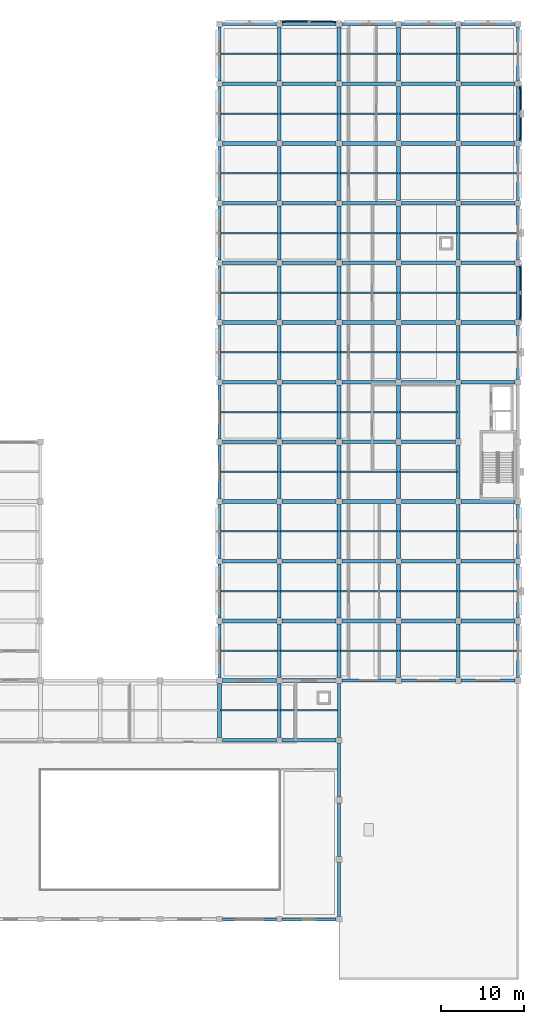
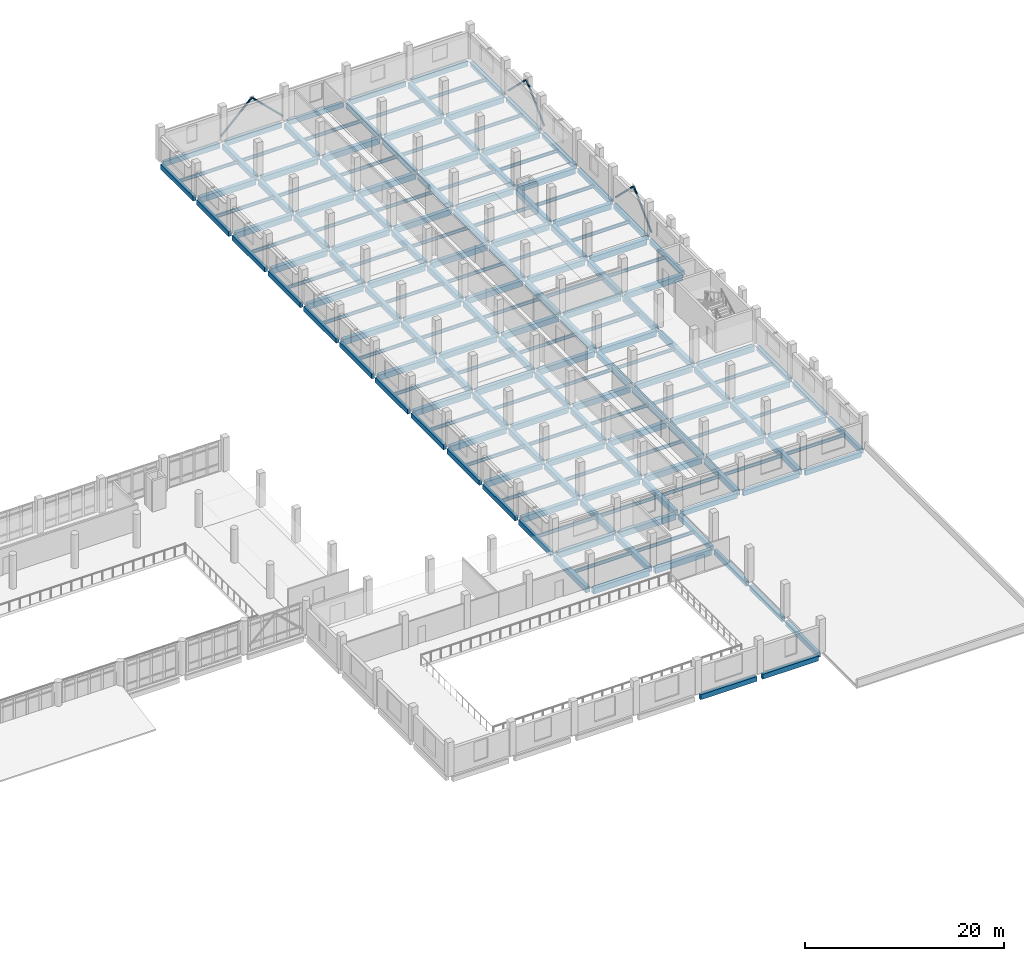
# One storey, part 21 of 57: 188 beams, 6 members.
"""IFC4 building model written with IfcOpenShell, lengths in metres."""

import ifcopenshell
import ifcopenshell.guid

model = None  # the IFC model being written
_history = None  # IfcOwnerHistory: only IFC2X3 demands one
_inside = {}  # id of a spatial element -> (the spatial element, [elements in it])
_under = {}  # id of a project, library or spatial element -> (it, [spatial elements below it])
_declared = {}  # id of a project -> (the project, [libraries it declares])
_typed = {}  # id of a type object -> (the type object, [elements of that type])
_made_of = {}  # id of a material, layer set ... -> (it, [elements and type objects made of it])


def new_model(schema):
    """Start an empty IFC model of exactly this schema.

    Asked for "IFC4X3", IfcOpenShell would pick the latest addendum, in which some entities
    have other attributes; the version numbers below select the first issue.
    IFC2X3 requires an IfcOwnerHistory on every rooted entity: one is made here for all.
    """
    global model, _history
    if schema == "IFC4X3":
        model = ifcopenshell.file(schema_version=(4, 3, 0, 0))
    else:
        model = ifcopenshell.file(schema=schema)
    _inside.clear()
    _under.clear()
    _declared.clear()
    _typed.clear()
    _made_of.clear()
    _history = None
    if model.schema == "IFC2X3":
        org = make("IfcOrganization", Name="unknown")
        user = make(
            "IfcPersonAndOrganization",
            ThePerson=make("IfcPerson", FamilyName="unknown"),
            TheOrganization=org,
        )
        app = make(
            "IfcApplication",
            ApplicationDeveloper=org,
            Version="unknown",
            ApplicationFullName="unknown",
            ApplicationIdentifier="unknown",
        )
        _history = make(
            "IfcOwnerHistory",
            OwningUser=user,
            OwningApplication=app,
            ChangeAction="ADDED",
            CreationDate=0,
        )
    return model


def make(cls, **values):
    """One entity of the class cls with the attributes given. An attribute that is None is left unset."""
    return model.create_entity(
        cls, **{name: value for name, value in values.items() if value is not None}
    )


def rooted(cls, **values):
    """An entity with a GlobalId (a new one), such as an element, a storey or a relation."""
    return make(cls, GlobalId=ifcopenshell.guid.new(), OwnerHistory=_history, **values)


def si_unit(unit_type, name, prefix=None):
    """IfcSIUnit, for example si_unit("LENGTHUNIT", "METRE", prefix="MILLI")."""
    return make("IfcSIUnit", UnitType=unit_type, Prefix=prefix, Name=name)


def assignment(units):
    """IfcUnitAssignment: the units of a project."""
    return None if units is None else make("IfcUnitAssignment", Units=units)


def point(xyz):
    """IfcCartesianPoint."""
    return None if xyz is None else make("IfcCartesianPoint", Coordinates=xyz)


def direction(xyz):
    """IfcDirection."""
    return None if xyz is None else make("IfcDirection", DirectionRatios=xyz)


def frame(location, z_axis=None, x_axis=None):
    """IfcAxis2Placement3D, a coordinate frame: its origin and axes. An axis left out is left unset."""
    return make(
        "IfcAxis2Placement3D",
        Location=point(location),
        Axis=direction(z_axis),
        RefDirection=direction(x_axis),
    )


def frame_2d(location, x_axis=None):
    """IfcAxis2Placement2D, a coordinate frame in the plane: its origin and x axis."""
    return make(
        "IfcAxis2Placement2D", Location=point(location), RefDirection=direction(x_axis)
    )


def origin():
    """The frame at (0, 0, 0) with its axes left unset."""
    return frame((0.0, 0.0, 0.0))


def origin_2d():
    """The frame at (0, 0) in the plane with its x axis left unset."""
    return frame_2d((0.0, 0.0))


def place(relative_to, where):
    """IfcLocalPlacement: puts the frame where relative to a parent placement (None: the world)."""
    return make(
        "IfcLocalPlacement", PlacementRelTo=relative_to, RelativePlacement=where
    )


def context(
    kind, dimensions, precision=None, world=None, true_north=None, identifier=None
):
    """IfcGeometricRepresentationContext, for example the 3D "Model" context."""
    return make(
        "IfcGeometricRepresentationContext",
        ContextIdentifier=identifier,
        ContextType=kind,
        CoordinateSpaceDimension=dimensions,
        Precision=precision,
        WorldCoordinateSystem=world,
        TrueNorth=true_north,
    )


def subcontext(parent, identifier, kind, view, scale=None):
    """IfcGeometricRepresentationSubContext, for example "Body" below "Model"."""
    return make(
        "IfcGeometricRepresentationSubContext",
        ContextIdentifier=identifier,
        ContextType=kind,
        ParentContext=parent,
        TargetScale=scale,
        TargetView=view,
    )


def project(units=None, contexts=None):
    """IfcProject with its units and contexts."""
    return rooted(
        "IfcProject",
        Name="project",
        RepresentationContexts=contexts,
        UnitsInContext=assignment(units),
    )


def spatial(cls, under=None, at=None, **own):
    """A site, building, storey or space (cls), placed at a placement, below another one or the project."""
    s = rooted(cls, ObjectPlacement=at, **own)
    if under is not None:
        _under.setdefault(under.id(), (under, []))[1].append(s)
    return s


def profile(cls, at=None, kind="AREA", **sizes):
    """A parametric profile (cls). Its sizes go by their IFC names, for example OverallWidth=200.0."""
    return make(cls, ProfileType=kind, Position=at, **sizes)


def rectangle(**sizes):
    """IfcRectangleProfileDef."""
    return profile("IfcRectangleProfileDef", **sizes)


def hollow_circle(**sizes):
    """IfcCircleHollowProfileDef."""
    return profile("IfcCircleHollowProfileDef", **sizes)


def i_section(**sizes):
    """IfcIShapeProfileDef."""
    return profile("IfcIShapeProfileDef", **sizes)


def extrude(swept, where, along, depth):
    """IfcExtrudedAreaSolid: the profile swept, set in the frame where, extruded along a direction by depth."""
    return make(
        "IfcExtrudedAreaSolid",
        SweptArea=swept,
        Position=where,
        ExtrudedDirection=direction(along),
        Depth=depth,
    )


def shape(context_of_items, identifier, shape_type, items):
    """IfcShapeRepresentation: the items that make up one representation, for example the "Body"."""
    return make(
        "IfcShapeRepresentation",
        ContextOfItems=context_of_items,
        RepresentationIdentifier=identifier,
        RepresentationType=shape_type,
        Items=items,
    )


def material(Name=None, Category=None):
    """IfcMaterial."""
    return make("IfcMaterial", Name=Name, Category=Category)


def material_profile(
    of_material, cross_section, Name=None, Category=None, Priority=None
):
    """IfcMaterialProfile: a cross section and its material."""
    return make(
        "IfcMaterialProfile",
        Name=Name,
        Material=of_material,
        Profile=cross_section,
        Priority=Priority,
        Category=Category,
    )


def profile_set(profiles, Name=None, composite=None):
    """IfcMaterialProfileSet."""
    return make(
        "IfcMaterialProfileSet",
        Name=Name,
        MaterialProfiles=profiles,
        CompositeProfile=composite,
    )


def made_of(thing, what):
    """Note that an element or type object is made of a material, layer set ...; save() writes the relation."""
    if what is not None:
        _made_of.setdefault(what.id(), (what, []))[1].append(thing)
    return thing


def type_object(cls, material=None, **own):
    """A type object (cls), such as IfcWallType, which elements share."""
    return made_of(rooted(cls, **own), material)


def element(
    cls,
    number,
    at=None,
    inside=None,
    cuts=None,
    type_object=None,
    material=None,
    context=None,
    identifier="Body",
    shape_type=None,
    held_by="IfcProductDefinitionShape",
    body=None,
    shapes=None,
    **own,
):
    """One element of the class cls, such as IfcWall. Its Tag is "e" and its number.

    at: its placement. inside: the storey or other place that contains it. cuts: it is an
    opening in that element (IfcRelVoidsElement). A single representation is given by context,
    identifier, shape_type and body (its items); several are given by shapes. held_by: the class
    of the entity that holds the representations. save() writes the other relations.
    """
    e = rooted(cls, Tag="e%d" % number, ObjectPlacement=at, **own)
    if body is not None:
        shapes = [shape(context, identifier, shape_type, body)]
    if shapes is not None:
        e.Representation = make(held_by, Representations=shapes)
    if inside is not None:
        _inside.setdefault(inside.id(), (inside, []))[1].append(e)
    if cuts is not None:
        rooted(
            "IfcRelVoidsElement", RelatingBuildingElement=cuts, RelatedOpeningElement=e
        )
    if type_object is not None:
        _typed.setdefault(type_object.id(), (type_object, []))[1].append(e)
    return made_of(e, material)


def aggregate(whole, parts):
    """IfcRelAggregates: a whole, such as a stair, and the parts it consists of."""
    return rooted("IfcRelAggregates", RelatingObject=whole, RelatedObjects=parts)


def save(model, path):
    """Write the relations noted so far, then the file.

    IfcRelAggregates (storeys below a building ...), IfcRelContainedInSpatialStructure (elements
    in a storey), IfcRelDefinesByType, IfcRelAssociatesMaterial and IfcRelDeclares: one each for
    every whole, place, type object, material and project.
    """
    for whole, parts in _under.values():
        aggregate(whole, parts)
    for where, things in _inside.values():
        rooted(
            "IfcRelContainedInSpatialStructure",
            RelatedElements=things,
            RelatingStructure=where,
        )
    for kind, things in _typed.values():
        rooted("IfcRelDefinesByType", RelatedObjects=things, RelatingType=kind)
    for what, things in _made_of.values():
        rooted("IfcRelAssociatesMaterial", RelatedObjects=things, RelatingMaterial=what)
    for by, libraries in _declared.values():
        rooted("IfcRelDeclares", RelatingContext=by, RelatedDefinitions=libraries)
    model.write(path)


model = new_model("IFC4")

# Units and contexts
model_context = context("Model", 3, precision=1e-05, world=origin(), true_north=direction((0.0, 1.0)))
body_context = subcontext(model_context, "Body", "Model", "MODEL_VIEW")
ifc_project = project(units=[si_unit("LENGTHUNIT", "METRE"), si_unit("AREAUNIT", "SQUARE_METRE"), si_unit("VOLUMEUNIT", "CUBIC_METRE"), si_unit("PLANEANGLEUNIT", "RADIAN"), si_unit("MASSUNIT", "GRAM", prefix="KILO")], contexts=[model_context])

# Site, building, storey
site_placement = place(None, origin())
site = spatial("IfcSite", under=ifc_project, at=site_placement, CompositionType="ELEMENT")
building_placement = place(site_placement, origin())
building = spatial("IfcBuilding", under=site, at=building_placement, Name="Valkovuoma Quantum and Materials Research Institute", CompositionType="ELEMENT")
storey_placement = place(building_placement, frame((0.0, 0.0, 4.800048828125)))
storey = spatial("IfcBuildingStorey", under=building, at=storey_placement, Name="L01", CompositionType="ELEMENT", Elevation=4.800048828125)

# Beams
ifc_material_1 = material(Name="Steel S355J2", Category="steel")
ifc_material_profile_1 = material_profile(ifc_material_1, i_section(OverallWidth=0.179931640625, OverallDepth=0.39990234375, WebThickness=0.008544921875, FlangeThickness=0.013427734375, FilletRadius=0.02099609375, at=origin_2d()), Name="Steel S355J2")
ifc_profile_set_1 = profile_set([ifc_material_profile_1], Name="Steel S355J2")
beam_type_1 = type_object("IfcBeamType", Name="Beam-B-JST400", PredefinedType="JOIST", material=ifc_profile_set_1)
for number, where, z_axis, x_axis, name in (
    (1, (129.719970703125, 32.39990234375, -0.550048828125), (1.0, 0.0, 0.0), (0.0, 1.0, 0.0), "L01 floor joist 0869"),
    (2, (136.919921875, 32.39990234375, -0.550048828125), (1.0, 0.0, 0.0), (0.0, 1.0, 0.0), "L01 floor joist 0870"),
    (3, (129.719970703125, 39.60009765625, -0.550048828125), (1.0, 0.0, 0.0), (0.0, 1.0, 0.0), "L01 floor joist 0877"),
    (4, (136.919921875, 39.60009765625, -0.550048828125), (1.0, 0.0, 0.0), (0.0, 1.0, 0.0), "L01 floor joist 0878"),
    (5, (144.1201171875, 39.60009765625, -0.550048828125), (1.0, 0.0, 0.0), (0.0, 1.0, 0.0), "L01 floor joist 0879"),
    (6, (151.320068359375, 39.60009765625, -0.550048828125), (1.0, 0.0, 0.0), (0.0, 1.0, 0.0), "L01 floor joist 0880"),
    (7, (158.52001953125, 39.60009765625, -0.550048828125), (1.0, 0.0, 0.0), (0.0, 1.0, 0.0), "L01 floor joist 0881"),
    (8, (129.719970703125, 46.800048828125, -0.550048828125), (1.0, 0.0, 0.0), (0.0, 1.0, 0.0), "L01 floor joist 0888"),
    (9, (136.919921875, 46.800048828125, -0.550048828125), (1.0, 0.0, 0.0), (0.0, 1.0, 0.0), "L01 floor joist 0889"),
    (10, (144.1201171875, 46.800048828125, -0.550048828125), (1.0, 0.0, 0.0), (0.0, 1.0, 0.0), "L01 floor joist 0890"),
    (11, (151.320068359375, 46.800048828125, -0.550048828125), (1.0, 0.0, 0.0), (0.0, 1.0, 0.0), "L01 floor joist 0891"),
    (12, (158.52001953125, 46.800048828125, -0.550048828125), (1.0, 0.0, 0.0), (0.0, 1.0, 0.0), "L01 floor joist 0892"),
    (13, (129.719970703125, 54.0, -0.550048828125), (1.0, 0.0, 0.0), (0.0, 1.0, 0.0), "L01 floor joist 0899"),
    (14, (136.919921875, 54.0, -0.550048828125), (1.0, 0.0, 0.0), (0.0, 1.0, 0.0), "L01 floor joist 0900"),
    (15, (144.1201171875, 54.0, -0.550048828125), (1.0, 0.0, 0.0), (0.0, 1.0, 0.0), "L01 floor joist 0901"),
    (16, (151.320068359375, 54.0, -0.550048828125), (1.0, 0.0, 0.0), (0.0, 1.0, 0.0), "L01 floor joist 0902"),
    (17, (158.52001953125, 54.0, -0.550048828125), (1.0, 0.0, 0.0), (0.0, 1.0, 0.0), "L01 floor joist 0903"),
    (18, (129.719970703125, 61.199951171875, -0.550048828125), (1.0, 0.0, 0.0), (0.0, 1.0, 0.0), "L01 floor joist 0919"),
    (19, (136.919921875, 61.199951171875, -0.550048828125), (1.0, 0.0, 0.0), (0.0, 1.0, 0.0), "L01 floor joist 0920"),
    (20, (144.1201171875, 61.199951171875, -0.550048828125), (1.0, 0.0, 0.0), (0.0, 1.0, 0.0), "L01 floor joist 0921"),
    (21, (151.320068359375, 61.199951171875, -0.550048828125), (1.0, 0.0, 0.0), (0.0, 1.0, 0.0), "L01 floor joist 0922"),
    (22, (129.719970703125, 68.39990234375, -0.550048828125), (1.0, 0.0, 0.0), (0.0, 1.0, 0.0), "L01 floor joist 0928"),
    (23, (136.919921875, 68.39990234375, -0.550048828125), (1.0, 0.0, 0.0), (0.0, 1.0, 0.0), "L01 floor joist 0929"),
    (24, (144.1201171875, 68.39990234375, -0.550048828125), (1.0, 0.0, 0.0), (0.0, 1.0, 0.0), "L01 floor joist 0930"),
    (25, (151.320068359375, 68.39990234375, -0.550048828125), (1.0, 0.0, 0.0), (0.0, 1.0, 0.0), "L01 floor joist 0931"),
    (26, (129.719970703125, 75.60009765625, -0.550048828125), (1.0, 0.0, 0.0), (0.0, 1.0, 0.0), "L01 floor joist 0935"),
    (27, (136.919921875, 75.60009765625, -0.550048828125), (1.0, 0.0, 0.0), (0.0, 1.0, 0.0), "L01 floor joist 0936"),
    (28, (144.1201171875, 75.60009765625, -0.550048828125), (1.0, 0.0, 0.0), (0.0, 1.0, 0.0), "L01 floor joist 0937"),
    (29, (151.320068359375, 75.60009765625, -0.550048828125), (1.0, 0.0, 0.0), (0.0, 1.0, 0.0), "L01 floor joist 0938"),
    (30, (158.52001953125, 75.60009765625, -0.550048828125), (1.0, 0.0, 0.0), (0.0, 1.0, 0.0), "L01 floor joist 0939"),
    (31, (129.719970703125, 82.800048828125, -0.550048828125), (1.0, 0.0, 0.0), (0.0, 1.0, 0.0), "L01 floor joist 0945"),
    (32, (136.919921875, 82.800048828125, -0.550048828125), (1.0, 0.0, 0.0), (0.0, 1.0, 0.0), "L01 floor joist 0946"),
    (33, (144.1201171875, 82.800048828125, -0.550048828125), (1.0, 0.0, 0.0), (0.0, 1.0, 0.0), "L01 floor joist 0947"),
    (34, (151.320068359375, 82.800048828125, -0.550048828125), (1.0, 0.0, 0.0), (0.0, 1.0, 0.0), "L01 floor joist 0948"),
    (35, (158.52001953125, 82.800048828125, -0.550048828125), (1.0, 0.0, 0.0), (0.0, 1.0, 0.0), "L01 floor joist 0949"),
    (36, (129.719970703125, 90.0, -0.550048828125), (1.0, 0.0, 0.0), (0.0, 1.0, 0.0), "L01 floor joist 0957"),
    (37, (136.919921875, 90.0, -0.550048828125), (1.0, 0.0, 0.0), (0.0, 1.0, 0.0), "L01 floor joist 0958"),
    (38, (144.1201171875, 90.0, -0.550048828125), (1.0, 0.0, 0.0), (0.0, 1.0, 0.0), "L01 floor joist 0959"),
    (39, (151.320068359375, 90.0, -0.550048828125), (1.0, 0.0, 0.0), (0.0, 1.0, 0.0), "L01 floor joist 0960"),
    (40, (158.52001953125, 90.0, -0.550048828125), (1.0, 0.0, 0.0), (0.0, 1.0, 0.0), "L01 floor joist 0961"),
    (41, (129.719970703125, 97.199951171875, -0.550048828125), (1.0, 0.0, 0.0), (0.0, 1.0, 0.0), "L01 floor joist 0967"),
    (42, (136.919921875, 97.199951171875, -0.550048828125), (1.0, 0.0, 0.0), (0.0, 1.0, 0.0), "L01 floor joist 0968"),
    (43, (144.1201171875, 97.199951171875, -0.550048828125), (1.0, 0.0, 0.0), (0.0, 1.0, 0.0), "L01 floor joist 0969"),
    (44, (151.320068359375, 97.199951171875, -0.550048828125), (1.0, 0.0, 0.0), (0.0, 1.0, 0.0), "L01 floor joist 0970"),
    (45, (158.52001953125, 97.199951171875, -0.550048828125), (1.0, 0.0, 0.0), (0.0, 1.0, 0.0), "L01 floor joist 0971"),
    (46, (129.719970703125, 104.39990234375, -0.550048828125), (1.0, 0.0, 0.0), (0.0, 1.0, 0.0), "L01 floor joist 0977"),
    (47, (136.919921875, 104.39990234375, -0.550048828125), (1.0, 0.0, 0.0), (0.0, 1.0, 0.0), "L01 floor joist 0978"),
    (48, (144.1201171875, 104.39990234375, -0.550048828125), (1.0, 0.0, 0.0), (0.0, 1.0, 0.0), "L01 floor joist 0979"),
    (49, (151.320068359375, 104.39990234375, -0.550048828125), (1.0, 0.0, 0.0), (0.0, 1.0, 0.0), "L01 floor joist 0980"),
    (50, (158.52001953125, 104.39990234375, -0.550048828125), (1.0, 0.0, 0.0), (0.0, 1.0, 0.0), "L01 floor joist 0981"),
    (51, (129.719970703125, 111.60009765625, -0.550048828125), (1.0, 0.0, 0.0), (0.0, 1.0, 0.0), "L01 floor joist 0982"),
    (52, (136.919921875, 111.60009765625, -0.550048828125), (1.0, 0.0, 0.0), (0.0, 1.0, 0.0), "L01 floor joist 0983"),
    (53, (144.1201171875, 111.60009765625, -0.550048828125), (1.0, 0.0, 0.0), (0.0, 1.0, 0.0), "L01 floor joist 0984"),
    (54, (151.320068359375, 111.60009765625, -0.550048828125), (1.0, 0.0, 0.0), (0.0, 1.0, 0.0), "L01 floor joist 0985"),
    (55, (158.52001953125, 111.60009765625, -0.550048828125), (1.0, 0.0, 0.0), (0.0, 1.0, 0.0), "L01 floor joist 0986"),
):
    element("IfcBeam", number, at=place(storey_placement, frame(where, z_axis=z_axis, x_axis=x_axis)), inside=storey, type_object=beam_type_1, Name=name, PredefinedType="JOIST", context=body_context, shape_type="SweptSolid", body=[
        extrude(i_section(OverallWidth=0.179931640625, OverallDepth=0.39990234375, WebThickness=0.008544921875, FlangeThickness=0.013427734375, FilletRadius=0.02099609375, at=origin_2d()), origin(), (0.0, 0.0, 1.0), 6.9599609375),
    ])
ifc_material_2 = material(Name="Concrete C40/50", Category="concrete")
ifc_material_profile_2 = material_profile(ifc_material_2, rectangle(XDim=0.449951171875, YDim=0.699951171875, at=origin_2d()), Name="Concrete C40/50")
ifc_profile_set_2 = profile_set([ifc_material_profile_2], Name="Concrete C40/50")
beam_type_2 = type_object("IfcBeamType", Name="Beam-B-RC700", PredefinedType="BEAM", material=ifc_profile_set_2)
for number, where, z_axis, x_axis, name in (
    (56, (129.949951171875, 28.800048828125, -0.699951171875), (1.0, 0.0, 0.0), (0.0, 1.0, 0.0), "L01 beam X-0562"),
    (57, (137.14990234375, 28.800048828125, -0.699951171875), (1.0, 0.0, 0.0), (0.0, 1.0, 0.0), "L01 beam X-0563"),
    (58, (129.949951171875, 36.0, -0.699951171875), (1.0, 0.0, 0.0), (0.0, 1.0, 0.0), "L01 beam X-0580"),
    (59, (137.14990234375, 36.0, -0.699951171875), (1.0, 0.0, 0.0), (0.0, 1.0, 0.0), "L01 beam X-0581"),
    (60, (129.949951171875, 43.199951171875, -0.699951171875), (1.0, 0.0, 0.0), (0.0, 1.0, 0.0), "L01 beam X-0592"),
    (61, (137.14990234375, 43.199951171875, -0.699951171875), (1.0, 0.0, 0.0), (0.0, 1.0, 0.0), "L01 beam X-0593"),
    (62, (144.35009765625, 43.199951171875, -0.699951171875), (1.0, 0.0, 0.0), (0.0, 1.0, 0.0), "L01 beam X-0594"),
    (63, (151.550048828125, 43.199951171875, -0.699951171875), (1.0, 0.0, 0.0), (0.0, 1.0, 0.0), "L01 beam X-0595"),
    (64, (158.75, 43.199951171875, -0.699951171875), (1.0, 0.0, 0.0), (0.0, 1.0, 0.0), "L01 beam X-0596"),
    (65, (129.949951171875, 50.39990234375, -0.699951171875), (1.0, 0.0, 0.0), (0.0, 1.0, 0.0), "L01 beam X-0603"),
    (66, (137.14990234375, 50.39990234375, -0.699951171875), (1.0, 0.0, 0.0), (0.0, 1.0, 0.0), "L01 beam X-0604"),
    (67, (144.35009765625, 50.39990234375, -0.699951171875), (1.0, 0.0, 0.0), (0.0, 1.0, 0.0), "L01 beam X-0605"),
    (68, (151.550048828125, 50.39990234375, -0.699951171875), (1.0, 0.0, 0.0), (0.0, 1.0, 0.0), "L01 beam X-0606"),
    (69, (158.75, 50.39990234375, -0.699951171875), (1.0, 0.0, 0.0), (0.0, 1.0, 0.0), "L01 beam X-0607"),
    (70, (129.949951171875, 57.60009765625, -0.699951171875), (1.0, 0.0, 0.0), (0.0, 1.0, 0.0), "L01 beam X-0623"),
    (71, (137.14990234375, 57.60009765625, -0.699951171875), (1.0, 0.0, 0.0), (0.0, 1.0, 0.0), "L01 beam X-0624"),
    (72, (144.35009765625, 57.60009765625, -0.699951171875), (1.0, 0.0, 0.0), (0.0, 1.0, 0.0), "L01 beam X-0625"),
    (73, (151.550048828125, 57.60009765625, -0.699951171875), (1.0, 0.0, 0.0), (0.0, 1.0, 0.0), "L01 beam X-0626"),
    (74, (158.75, 57.60009765625, -0.699951171875), (1.0, 0.0, 0.0), (0.0, 1.0, 0.0), "L01 beam X-0627"),
    (75, (129.949951171875, 64.800048828125, -0.699951171875), (1.0, 0.0, 0.0), (0.0, 1.0, 0.0), "L01 beam X-0643"),
    (76, (137.14990234375, 64.800048828125, -0.699951171875), (1.0, 0.0, 0.0), (0.0, 1.0, 0.0), "L01 beam X-0644"),
    (77, (144.35009765625, 64.800048828125, -0.699951171875), (1.0, 0.0, 0.0), (0.0, 1.0, 0.0), "L01 beam X-0645"),
    (78, (151.550048828125, 64.800048828125, -0.699951171875), (1.0, 0.0, 0.0), (0.0, 1.0, 0.0), "L01 beam X-0646"),
    (79, (129.949951171875, 72.0, -0.699951171875), (1.0, 0.0, 0.0), (0.0, 1.0, 0.0), "L01 beam X-0652"),
    (80, (137.14990234375, 72.0, -0.699951171875), (1.0, 0.0, 0.0), (0.0, 1.0, 0.0), "L01 beam X-0653"),
    (81, (144.35009765625, 72.0, -0.699951171875), (1.0, 0.0, 0.0), (0.0, 1.0, 0.0), "L01 beam X-0654"),
    (82, (151.550048828125, 72.0, -0.699951171875), (1.0, 0.0, 0.0), (0.0, 1.0, 0.0), "L01 beam X-0655"),
    (83, (158.75, 72.0, -0.699951171875), (1.0, 0.0, 0.0), (0.0, 1.0, 0.0), "L01 beam X-0656"),
    (84, (129.949951171875, 79.199951171875, -0.699951171875), (1.0, 0.0, 0.0), (0.0, 1.0, 0.0), "L01 beam X-0662"),
    (85, (137.14990234375, 79.199951171875, -0.699951171875), (1.0, 0.0, 0.0), (0.0, 1.0, 0.0), "L01 beam X-0663"),
    (86, (144.35009765625, 79.199951171875, -0.699951171875), (1.0, 0.0, 0.0), (0.0, 1.0, 0.0), "L01 beam X-0664"),
    (87, (151.550048828125, 79.199951171875, -0.699951171875), (1.0, 0.0, 0.0), (0.0, 1.0, 0.0), "L01 beam X-0665"),
    (88, (158.75, 79.199951171875, -0.699951171875), (1.0, 0.0, 0.0), (0.0, 1.0, 0.0), "L01 beam X-0666"),
    (89, (129.949951171875, 86.39990234375, -0.699951171875), (1.0, 0.0, 0.0), (0.0, 1.0, 0.0), "L01 beam X-0674"),
    (90, (137.14990234375, 86.39990234375, -0.699951171875), (1.0, 0.0, 0.0), (0.0, 1.0, 0.0), "L01 beam X-0675"),
    (91, (144.35009765625, 86.39990234375, -0.699951171875), (1.0, 0.0, 0.0), (0.0, 1.0, 0.0), "L01 beam X-0676"),
    (92, (151.550048828125, 86.39990234375, -0.699951171875), (1.0, 0.0, 0.0), (0.0, 1.0, 0.0), "L01 beam X-0677"),
    (93, (158.75, 86.39990234375, -0.699951171875), (1.0, 0.0, 0.0), (0.0, 1.0, 0.0), "L01 beam X-0678"),
    (94, (129.949951171875, 93.60009765625, -0.699951171875), (1.0, 0.0, 0.0), (0.0, 1.0, 0.0), "L01 beam X-0686"),
    (95, (137.14990234375, 93.60009765625, -0.699951171875), (1.0, 0.0, 0.0), (0.0, 1.0, 0.0), "L01 beam X-0687"),
    (96, (144.35009765625, 93.60009765625, -0.699951171875), (1.0, 0.0, 0.0), (0.0, 1.0, 0.0), "L01 beam X-0688"),
    (97, (151.550048828125, 93.60009765625, -0.699951171875), (1.0, 0.0, 0.0), (0.0, 1.0, 0.0), "L01 beam X-0689"),
    (98, (158.75, 93.60009765625, -0.699951171875), (1.0, 0.0, 0.0), (0.0, 1.0, 0.0), "L01 beam X-0690"),
    (99, (129.949951171875, 100.800048828125, -0.699951171875), (1.0, 0.0, 0.0), (0.0, 1.0, 0.0), "L01 beam X-0696"),
    (100, (137.14990234375, 100.800048828125, -0.699951171875), (1.0, 0.0, 0.0), (0.0, 1.0, 0.0), "L01 beam X-0697"),
    (101, (144.35009765625, 100.800048828125, -0.699951171875), (1.0, 0.0, 0.0), (0.0, 1.0, 0.0), "L01 beam X-0698"),
    (102, (151.550048828125, 100.800048828125, -0.699951171875), (1.0, 0.0, 0.0), (0.0, 1.0, 0.0), "L01 beam X-0699"),
    (103, (158.75, 100.800048828125, -0.699951171875), (1.0, 0.0, 0.0), (0.0, 1.0, 0.0), "L01 beam X-0700"),
    (104, (129.949951171875, 108.0, -0.699951171875), (1.0, 0.0, 0.0), (0.0, 1.0, 0.0), "L01 beam X-0706"),
    (105, (137.14990234375, 108.0, -0.699951171875), (1.0, 0.0, 0.0), (0.0, 1.0, 0.0), "L01 beam X-0707"),
    (106, (144.35009765625, 108.0, -0.699951171875), (1.0, 0.0, 0.0), (0.0, 1.0, 0.0), "L01 beam X-0708"),
    (107, (151.550048828125, 108.0, -0.699951171875), (1.0, 0.0, 0.0), (0.0, 1.0, 0.0), "L01 beam X-0709"),
    (108, (158.75, 108.0, -0.699951171875), (1.0, 0.0, 0.0), (0.0, 1.0, 0.0), "L01 beam X-0710"),
    (109, (129.60009765625, 29.14990234375, -0.699951171875), (0.0, 1.0, 0.0), (-1.0, 0.0, 0.0), "L01 beam Y-0795"),
    (110, (136.800048828125, 29.14990234375, -0.699951171875), (0.0, 1.0, 0.0), (-1.0, 0.0, 0.0), "L01 beam Y-0807"),
    (111, (136.800048828125, 36.35009765625, -0.699951171875), (0.0, 1.0, 0.0), (-1.0, 0.0, 0.0), "L01 beam Y-0808"),
    (112, (136.800048828125, 43.550048828125, -0.699951171875), (0.0, 1.0, 0.0), (-1.0, 0.0, 0.0), "L01 beam Y-0809"),
    (113, (136.800048828125, 50.75, -0.699951171875), (0.0, 1.0, 0.0), (-1.0, 0.0, 0.0), "L01 beam Y-0810"),
    (114, (136.800048828125, 57.949951171875, -0.699951171875), (0.0, 1.0, 0.0), (-1.0, 0.0, 0.0), "L01 beam Y-0811"),
    (115, (136.800048828125, 65.14990234375, -0.699951171875), (0.0, 1.0, 0.0), (-1.0, 0.0, 0.0), "L01 beam Y-0812"),
    (116, (136.800048828125, 72.35009765625, -0.699951171875), (0.0, 1.0, 0.0), (-1.0, 0.0, 0.0), "L01 beam Y-0813"),
    (117, (136.800048828125, 79.550048828125, -0.699951171875), (0.0, 1.0, 0.0), (-1.0, 0.0, 0.0), "L01 beam Y-0814"),
    (118, (136.800048828125, 86.75, -0.699951171875), (0.0, 1.0, 0.0), (-1.0, 0.0, 0.0), "L01 beam Y-0815"),
    (119, (136.800048828125, 93.949951171875, -0.699951171875), (0.0, 1.0, 0.0), (-1.0, 0.0, 0.0), "L01 beam Y-0816"),
    (120, (136.800048828125, 101.14990234375, -0.699951171875), (0.0, 1.0, 0.0), (-1.0, 0.0, 0.0), "L01 beam Y-0817"),
    (121, (136.800048828125, 108.35009765625, -0.699951171875), (0.0, 1.0, 0.0), (-1.0, 0.0, 0.0), "L01 beam Y-0818"),
    (122, (144.0, 36.35009765625, -0.699951171875), (0.0, 1.0, 0.0), (-1.0, 0.0, 0.0), "L01 beam Y-0823"),
    (123, (144.0, 43.550048828125, -0.699951171875), (0.0, 1.0, 0.0), (-1.0, 0.0, 0.0), "L01 beam Y-0824"),
    (124, (144.0, 50.75, -0.699951171875), (0.0, 1.0, 0.0), (-1.0, 0.0, 0.0), "L01 beam Y-0825"),
    (125, (144.0, 57.949951171875, -0.699951171875), (0.0, 1.0, 0.0), (-1.0, 0.0, 0.0), "L01 beam Y-0826"),
    (126, (144.0, 65.14990234375, -0.699951171875), (0.0, 1.0, 0.0), (-1.0, 0.0, 0.0), "L01 beam Y-0827"),
    (127, (144.0, 72.35009765625, -0.699951171875), (0.0, 1.0, 0.0), (-1.0, 0.0, 0.0), "L01 beam Y-0828"),
    (128, (144.0, 79.550048828125, -0.699951171875), (0.0, 1.0, 0.0), (-1.0, 0.0, 0.0), "L01 beam Y-0829"),
    (129, (144.0, 86.75, -0.699951171875), (0.0, 1.0, 0.0), (-1.0, 0.0, 0.0), "L01 beam Y-0830"),
    (130, (144.0, 93.949951171875, -0.699951171875), (0.0, 1.0, 0.0), (-1.0, 0.0, 0.0), "L01 beam Y-0831"),
    (131, (144.0, 101.14990234375, -0.699951171875), (0.0, 1.0, 0.0), (-1.0, 0.0, 0.0), "L01 beam Y-0832"),
    (132, (144.0, 108.35009765625, -0.699951171875), (0.0, 1.0, 0.0), (-1.0, 0.0, 0.0), "L01 beam Y-0833"),
    (133, (151.199951171875, 36.35009765625, -0.699951171875), (0.0, 1.0, 0.0), (-1.0, 0.0, 0.0), "L01 beam Y-0834"),
    (134, (151.199951171875, 43.550048828125, -0.699951171875), (0.0, 1.0, 0.0), (-1.0, 0.0, 0.0), "L01 beam Y-0835"),
    (135, (151.199951171875, 50.75, -0.699951171875), (0.0, 1.0, 0.0), (-1.0, 0.0, 0.0), "L01 beam Y-0836"),
    (136, (151.199951171875, 57.949951171875, -0.699951171875), (0.0, 1.0, 0.0), (-1.0, 0.0, 0.0), "L01 beam Y-0837"),
    (137, (151.199951171875, 65.14990234375, -0.699951171875), (0.0, 1.0, 0.0), (-1.0, 0.0, 0.0), "L01 beam Y-0838"),
    (138, (151.199951171875, 72.35009765625, -0.699951171875), (0.0, 1.0, 0.0), (-1.0, 0.0, 0.0), "L01 beam Y-0839"),
    (139, (151.199951171875, 79.550048828125, -0.699951171875), (0.0, 1.0, 0.0), (-1.0, 0.0, 0.0), "L01 beam Y-0840"),
    (140, (151.199951171875, 86.75, -0.699951171875), (0.0, 1.0, 0.0), (-1.0, 0.0, 0.0), "L01 beam Y-0841"),
    (141, (151.199951171875, 93.949951171875, -0.699951171875), (0.0, 1.0, 0.0), (-1.0, 0.0, 0.0), "L01 beam Y-0842"),
    (142, (151.199951171875, 101.14990234375, -0.699951171875), (0.0, 1.0, 0.0), (-1.0, 0.0, 0.0), "L01 beam Y-0843"),
    (143, (151.199951171875, 108.35009765625, -0.699951171875), (0.0, 1.0, 0.0), (-1.0, 0.0, 0.0), "L01 beam Y-0844"),
    (144, (158.39990234375, 36.35009765625, -0.699951171875), (0.0, 1.0, 0.0), (-1.0, 0.0, 0.0), "L01 beam Y-0845"),
    (145, (158.39990234375, 43.550048828125, -0.699951171875), (0.0, 1.0, 0.0), (-1.0, 0.0, 0.0), "L01 beam Y-0846"),
    (146, (158.39990234375, 50.75, -0.699951171875), (0.0, 1.0, 0.0), (-1.0, 0.0, 0.0), "L01 beam Y-0847"),
    (147, (158.39990234375, 57.949951171875, -0.699951171875), (0.0, 1.0, 0.0), (-1.0, 0.0, 0.0), "L01 beam Y-0848"),
    (148, (158.39990234375, 65.14990234375, -0.699951171875), (0.0, 1.0, 0.0), (-1.0, 0.0, 0.0), "L01 beam Y-0849"),
    (149, (158.39990234375, 72.35009765625, -0.699951171875), (0.0, 1.0, 0.0), (-1.0, 0.0, 0.0), "L01 beam Y-0850"),
    (150, (158.39990234375, 79.550048828125, -0.699951171875), (0.0, 1.0, 0.0), (-1.0, 0.0, 0.0), "L01 beam Y-0851"),
    (151, (158.39990234375, 86.75, -0.699951171875), (0.0, 1.0, 0.0), (-1.0, 0.0, 0.0), "L01 beam Y-0852"),
    (152, (158.39990234375, 93.949951171875, -0.699951171875), (0.0, 1.0, 0.0), (-1.0, 0.0, 0.0), "L01 beam Y-0853"),
    (153, (158.39990234375, 101.14990234375, -0.699951171875), (0.0, 1.0, 0.0), (-1.0, 0.0, 0.0), "L01 beam Y-0854"),
    (154, (158.39990234375, 108.35009765625, -0.699951171875), (0.0, 1.0, 0.0), (-1.0, 0.0, 0.0), "L01 beam Y-0855"),
):
    element("IfcBeam", number, at=place(storey_placement, frame(where, z_axis=z_axis, x_axis=x_axis)), inside=storey, type_object=beam_type_2, Name=name, PredefinedType="BEAM", context=body_context, shape_type="SweptSolid", body=[
        extrude(rectangle(XDim=0.449951171875, YDim=0.699951171875, at=origin_2d()), origin(), (0.0, 0.0, 1.0), 6.5),
    ])
ifc_material_3 = material(Name="Concrete C40/50", Category="concrete")
ifc_material_profile_3 = material_profile(ifc_material_3, rectangle(XDim=0.35009765625, YDim=0.60009765625, at=origin_2d()), Name="Concrete C40/50")
ifc_profile_set_3 = profile_set([ifc_material_profile_3], Name="Concrete C40/50")
beam_type_3 = type_object("IfcBeamType", Name="Beam-B-SPN600", PredefinedType="SPANDREL", material=ifc_profile_set_3)
for number, where, z_axis, x_axis, name in (
    (155, (129.949951171875, 7.199951171875, -0.650146484375), (1.0, 0.0, 0.0), (0.0, 1.0, 0.0), "L01 beam X-0554"),
    (156, (137.14990234375, 7.199951171875, -0.650146484375), (1.0, 0.0, 0.0), (0.0, 1.0, 0.0), "L01 beam X-0555"),
    (157, (144.35009765625, 36.0, -0.650146484375), (1.0, 0.0, 0.0), (0.0, 1.0, 0.0), "L01 beam X-0582"),
    (158, (151.550048828125, 36.0, -0.650146484375), (1.0, 0.0, 0.0), (0.0, 1.0, 0.0), "L01 beam X-0583"),
    (159, (158.75, 36.0, -0.650146484375), (1.0, 0.0, 0.0), (0.0, 1.0, 0.0), "L01 beam X-0584"),
    (160, (129.949951171875, 115.199951171875, -0.650146484375), (1.0, 0.0, 0.0), (0.0, 1.0, 0.0), "L01 beam X-0711"),
    (161, (137.14990234375, 115.199951171875, -0.650146484375), (1.0, 0.0, 0.0), (0.0, 1.0, 0.0), "L01 beam X-0712"),
    (162, (144.35009765625, 115.199951171875, -0.650146484375), (1.0, 0.0, 0.0), (0.0, 1.0, 0.0), "L01 beam X-0713"),
    (163, (151.550048828125, 115.199951171875, -0.650146484375), (1.0, 0.0, 0.0), (0.0, 1.0, 0.0), "L01 beam X-0714"),
    (164, (158.75, 115.199951171875, -0.650146484375), (1.0, 0.0, 0.0), (0.0, 1.0, 0.0), "L01 beam X-0715"),
    (165, (129.60009765625, 36.35009765625, -0.650146484375), (0.0, 1.0, 0.0), (-1.0, 0.0, 0.0), "L01 beam Y-0796"),
    (166, (129.60009765625, 43.550048828125, -0.650146484375), (0.0, 1.0, 0.0), (-1.0, 0.0, 0.0), "L01 beam Y-0797"),
    (167, (129.60009765625, 50.75, -0.650146484375), (0.0, 1.0, 0.0), (-1.0, 0.0, 0.0), "L01 beam Y-0798"),
    (168, (129.60009765625, 57.949951171875, -0.650146484375), (0.0, 1.0, 0.0), (-1.0, 0.0, 0.0), "L01 beam Y-0799"),
    (169, (129.60009765625, 65.14990234375, -0.650146484375), (0.0, 1.0, 0.0), (-1.0, 0.0, 0.0), "L01 beam Y-0800"),
    (170, (129.60009765625, 72.35009765625, -0.650146484375), (0.0, 1.0, 0.0), (-1.0, 0.0, 0.0), "L01 beam Y-0801"),
    (171, (129.60009765625, 79.550048828125, -0.650146484375), (0.0, 1.0, 0.0), (-1.0, 0.0, 0.0), "L01 beam Y-0802"),
    (172, (129.60009765625, 86.75, -0.650146484375), (0.0, 1.0, 0.0), (-1.0, 0.0, 0.0), "L01 beam Y-0803"),
    (173, (129.60009765625, 93.949951171875, -0.650146484375), (0.0, 1.0, 0.0), (-1.0, 0.0, 0.0), "L01 beam Y-0804"),
    (174, (129.60009765625, 101.14990234375, -0.650146484375), (0.0, 1.0, 0.0), (-1.0, 0.0, 0.0), "L01 beam Y-0805"),
    (175, (129.60009765625, 108.35009765625, -0.650146484375), (0.0, 1.0, 0.0), (-1.0, 0.0, 0.0), "L01 beam Y-0806"),
    (176, (144.0, 7.550048828125, -0.650146484375), (0.0, 1.0, 0.0), (-1.0, 0.0, 0.0), "L01 beam Y-0819"),
    (177, (144.0, 14.75, -0.650146484375), (0.0, 1.0, 0.0), (-1.0, 0.0, 0.0), "L01 beam Y-0820"),
    (178, (144.0, 21.949951171875, -0.650146484375), (0.0, 1.0, 0.0), (-1.0, 0.0, 0.0), "L01 beam Y-0821"),
    (179, (144.0, 29.14990234375, -0.650146484375), (0.0, 1.0, 0.0), (-1.0, 0.0, 0.0), "L01 beam Y-0822"),
    (180, (165.60009765625, 36.35009765625, -0.650146484375), (0.0, 1.0, 0.0), (-1.0, 0.0, 0.0), "L01 beam Y-0856"),
    (181, (165.60009765625, 43.550048828125, -0.650146484375), (0.0, 1.0, 0.0), (-1.0, 0.0, 0.0), "L01 beam Y-0857"),
    (182, (165.60009765625, 50.75, -0.650146484375), (0.0, 1.0, 0.0), (-1.0, 0.0, 0.0), "L01 beam Y-0858"),
    (183, (165.60009765625, 72.35009765625, -0.650146484375), (0.0, 1.0, 0.0), (-1.0, 0.0, 0.0), "L01 beam Y-0859"),
    (184, (165.60009765625, 79.550048828125, -0.650146484375), (0.0, 1.0, 0.0), (-1.0, 0.0, 0.0), "L01 beam Y-0860"),
    (185, (165.60009765625, 86.75, -0.650146484375), (0.0, 1.0, 0.0), (-1.0, 0.0, 0.0), "L01 beam Y-0861"),
    (186, (165.60009765625, 93.949951171875, -0.650146484375), (0.0, 1.0, 0.0), (-1.0, 0.0, 0.0), "L01 beam Y-0862"),
    (187, (165.60009765625, 101.14990234375, -0.650146484375), (0.0, 1.0, 0.0), (-1.0, 0.0, 0.0), "L01 beam Y-0863"),
    (188, (165.60009765625, 108.35009765625, -0.650146484375), (0.0, 1.0, 0.0), (-1.0, 0.0, 0.0), "L01 beam Y-0864"),
):
    element("IfcBeam", number, at=place(storey_placement, frame(where, z_axis=z_axis, x_axis=x_axis)), inside=storey, type_object=beam_type_3, Name=name, PredefinedType="SPANDREL", context=body_context, shape_type="SweptSolid", body=[
        extrude(rectangle(XDim=0.35009765625, YDim=0.60009765625, at=origin_2d()), origin(), (0.0, 0.0, 1.0), 6.5),
    ])

# Members
ifc_material_4 = material(Name="Steel S355J2H", Category="steel")
ifc_material_profile_4 = material_profile(ifc_material_4, hollow_circle(Radius=0.109619140625, WallThickness=0.010009765625, at=origin_2d()), Name="Steel S355J2H")
ifc_profile_set_4 = profile_set([ifc_material_profile_4], Name="Steel S355J2H")
member_type = type_object("IfcMemberType", Name="Mem-M-BRC219", PredefinedType="BRACE", material=ifc_profile_set_4)
member_1_placement = place(storey_placement, frame((165.89990234375, 79.199951171875, 0.099853515625), z_axis=(0.0, 0.716008634166, 0.698091423668), x_axis=(-1.0, 0.0, 0.0)))
element("IfcMember", 189, at=member_1_placement, inside=storey, type_object=member_type, Name="L01 chevron wind brace 09A", PredefinedType="BRACE", context=body_context, shape_type="SweptSolid", body=[
    extrude(hollow_circle(Radius=0.109619140625, WallThickness=0.010009765625, at=origin_2d()), origin(), (0.0, 0.0, 1.0), 5.028076171875),
])
for number, where, z_axis, x_axis, name in (
    (190, (165.89990234375, 86.39990234375, 0.099853515625), (0.0, -0.715984969996, 0.69811569438), (1.0, 0.0, 0.0), "L01 chevron wind brace 09B"),
    (191, (165.89990234375, 100.800048828125, 0.099853515625), (0.0, 0.715984969996, 0.69811569438), (-1.0, 0.0, 0.0), "L01 chevron wind brace 15A"),
):
    element("IfcMember", number, at=place(storey_placement, frame(where, z_axis=z_axis, x_axis=x_axis)), inside=storey, type_object=member_type, Name=name, PredefinedType="BRACE", context=body_context, shape_type="SweptSolid", body=[
        extrude(hollow_circle(Radius=0.109619140625, WallThickness=0.010009765625, at=origin_2d()), origin(), (0.0, 0.0, 1.0), 5.02783203125),
    ])
member_2_placement = place(storey_placement, frame((165.89990234375, 108.0, 0.099853515625), z_axis=(0.0, -0.716008634166, 0.698091423668), x_axis=(1.0, 0.0, 0.0)))
element("IfcMember", 192, at=member_2_placement, inside=storey, type_object=member_type, Name="L01 chevron wind brace 15B", PredefinedType="BRACE", context=body_context, shape_type="SweptSolid", body=[
    extrude(hollow_circle(Radius=0.109619140625, WallThickness=0.010009765625, at=origin_2d()), origin(), (0.0, 0.0, 1.0), 5.028076171875),
])
member_3_placement = place(storey_placement, frame((136.800048828125, 115.5, 0.099853515625), z_axis=(0.715984969996, 0.0, 0.69811569438), x_axis=(0.0, 1.0, 0.0)))
element("IfcMember", 193, at=member_3_placement, inside=storey, type_object=member_type, Name="L01 chevron wind brace 21A", PredefinedType="BRACE", context=body_context, shape_type="SweptSolid", body=[
    extrude(hollow_circle(Radius=0.109619140625, WallThickness=0.010009765625, at=origin_2d()), origin(), (0.0, 0.0, 1.0), 5.02783203125),
])
member_4_placement = place(storey_placement, frame((144.0, 115.5, 0.099853515625), z_axis=(-0.716008634166, 0.0, 0.698091423668), x_axis=(0.0, -1.0, 0.0)))
element("IfcMember", 194, at=member_4_placement, inside=storey, type_object=member_type, Name="L01 chevron wind brace 21B", PredefinedType="BRACE", context=body_context, shape_type="SweptSolid", body=[
    extrude(hollow_circle(Radius=0.109619140625, WallThickness=0.010009765625, at=origin_2d()), origin(), (0.0, 0.0, 1.0), 5.028076171875),
])

save(model, "model.ifc")
